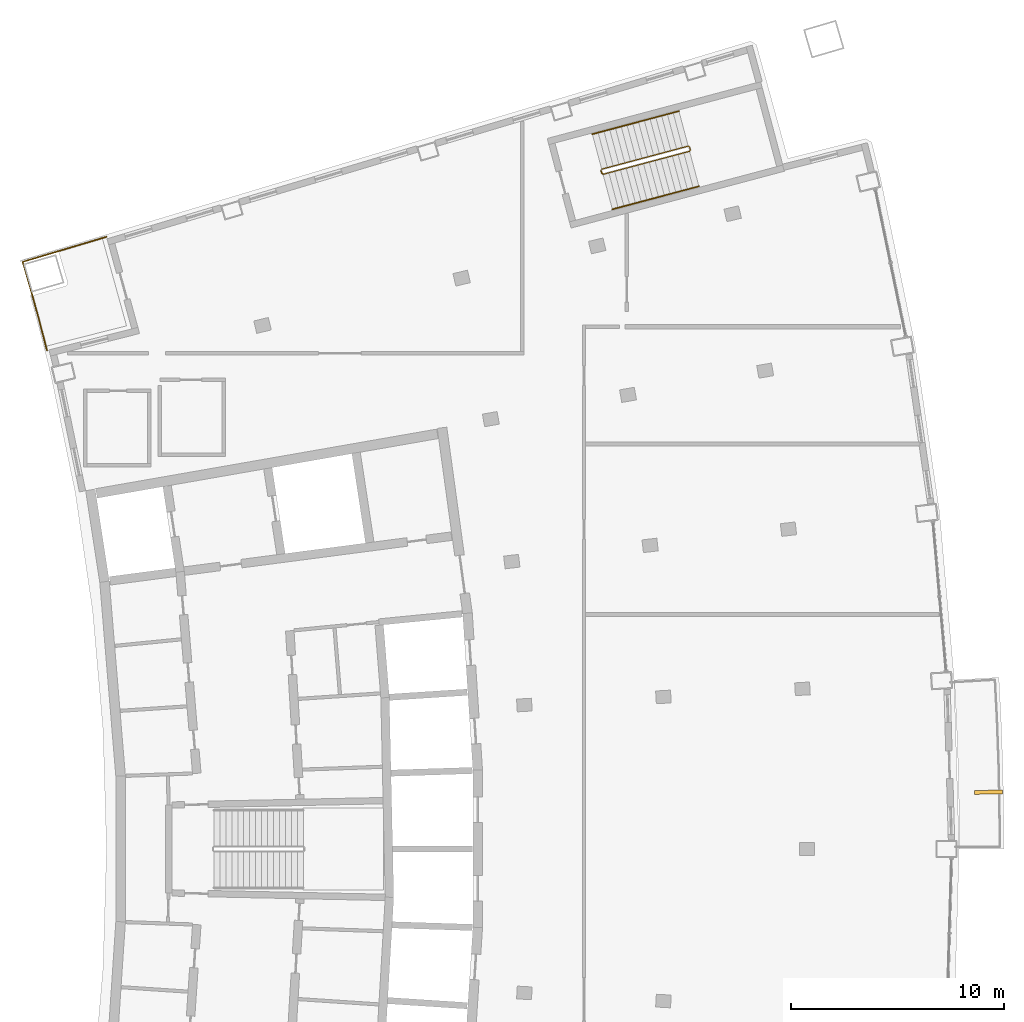
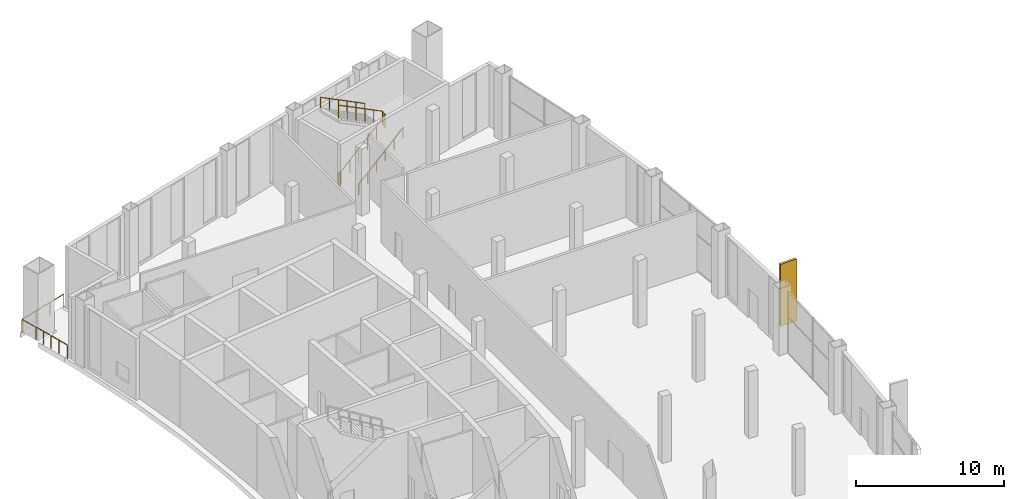
# One storey, part 13 of 13: 4 railings, 1 shading device.
"""IFC4 building model written with IfcOpenShell, lengths in metres."""

from ifc_helpers import new_model, si_unit, direction, frame, origin, origin_2d, place, context, subcontext, project, spatial, rectangle, extrude, material, layer, layer_set, type_object, element, save


model = new_model("IFC4")

# Units and contexts
model_context = context("Model", 3, precision=1e-05, world=origin(), true_north=direction((0.0, 1.0)))
body_context = subcontext(model_context, "Body", "Model", "MODEL_VIEW")
ifc_project = project(units=[si_unit("LENGTHUNIT", "METRE"), si_unit("AREAUNIT", "SQUARE_METRE"), si_unit("VOLUMEUNIT", "CUBIC_METRE"), si_unit("PLANEANGLEUNIT", "RADIAN"), si_unit("MASSUNIT", "GRAM", prefix="KILO")], contexts=[model_context])

# Site, building, storey
site_placement = place(None, origin())
site = spatial("IfcSite", under=ifc_project, at=site_placement, CompositionType="ELEMENT")
building_placement = place(site_placement, origin())
building = spatial("IfcBuilding", under=site, at=building_placement, Name="Alderwake Tower", CompositionType="ELEMENT")
storey_placement = place(building_placement, frame((0.0, 0.0, 304.5)))
storey = spatial("IfcBuildingStorey", under=building, at=storey_placement, Name="L74", CompositionType="ELEMENT", Elevation=304.5)

# Railing
ifc_material_1 = material(Name="Stainless steel 316 rail and posts", Category="steel")
railing_type_1 = type_object("IfcRailingType", Name="Balcony guard 1100", PredefinedType="GUARDRAIL", material=ifc_material_1)
railing_1_placement = place(storey_placement, frame((13.210693359375, 84.387451171875, 0.0)))
element("IfcRailing", 1, at=railing_1_placement, inside=storey, type_object=railing_type_1, Name="Guard terrace RN", PredefinedType="GUARDRAIL", context=body_context, shape_type="SweptSolid", body=[
    extrude(rectangle(XDim=0.048095703125, YDim=0.048095703125, at=origin_2d()), frame((0.0, 0.0, 1.076171875), z_axis=(-0.251385381433, 0.967887075026, 0.0), x_axis=(-0.967887075026, -0.251385381433, 0.0)), (0.0, 0.0, 1.0), 1.6015625),
    extrude(rectangle(XDim=0.048095703125, YDim=0.048095703125, at=origin_2d()), frame((-0.402587890625, 1.550048828125, 1.076171875), z_axis=(-0.266520638672, 0.963829211615, 0.0), x_axis=(-0.963829211615, -0.266520638672, 0.0)), (0.0, 0.0, 1.0), 1.401611328125),
    extrude(rectangle(XDim=0.048095703125, YDim=0.048095703125, at=origin_2d()), frame((-0.776123046875, 2.90087890625, 1.076171875), z_axis=(-0.280093650878, 0.959972680204, 0.0), x_axis=(-0.959972680204, -0.280093650878, 0.0)), (0.0, 0.0, 1.0), 1.30126953125),
    extrude(rectangle(XDim=0.048095703125, YDim=0.048095703125, at=origin_2d()), frame((-1.140625, 4.150146484375, 1.076171875), z_axis=(0.958066871889, 0.286544706789, 0.0), x_axis=(-0.286544706789, 0.958066871889, 0.0)), (0.0, 0.0, 1.0), 4.099853515625),
    extrude(rectangle(XDim=0.0419921875, YDim=0.0419921875, at=origin_2d()), frame((0.0, 0.0, 0.0), z_axis=(0.0, 0.0, 1.0), x_axis=(-0.251385381433, 0.967887075026, 0.0)), (0.0, 0.0, 1.0), 1.052001953125),
    extrude(rectangle(XDim=0.0419921875, YDim=0.0419921875, at=origin_2d()), frame((-0.201171875, 0.77490234375, 0.0), z_axis=(0.0, 0.0, 1.0), x_axis=(-0.251385381433, 0.967887075026, 0.0)), (0.0, 0.0, 1.0), 1.052001953125),
    extrude(rectangle(XDim=0.0419921875, YDim=0.0419921875, at=origin_2d()), frame((-0.402587890625, 1.550048828125, 0.0), z_axis=(0.0, 0.0, 1.0), x_axis=(-0.266520638672, 0.963829211615, 0.0)), (0.0, 0.0, 1.0), 1.052001953125),
    extrude(rectangle(XDim=0.0419921875, YDim=0.0419921875, at=origin_2d()), frame((-0.58935546875, 2.2255859375, 0.0), z_axis=(0.0, 0.0, 1.0), x_axis=(-0.266520638672, 0.963829211615, 0.0)), (0.0, 0.0, 1.0), 1.052001953125),
    extrude(rectangle(XDim=0.0419921875, YDim=0.0419921875, at=origin_2d()), frame((-0.776123046875, 2.90087890625, 0.0), z_axis=(0.0, 0.0, 1.0), x_axis=(-0.280093650878, 0.959972680204, 0.0)), (0.0, 0.0, 1.0), 1.052001953125),
    extrude(rectangle(XDim=0.0419921875, YDim=0.0419921875, at=origin_2d()), frame((-1.140625, 4.150146484375, 0.0), z_axis=(0.0, 0.0, 1.0), x_axis=(0.958066871889, 0.286544706789, 0.0)), (0.0, 0.0, 1.0), 1.052001953125),
    extrude(rectangle(XDim=0.0419921875, YDim=0.0419921875, at=origin_2d()), frame((0.168701171875, 4.541748046875, 0.0), z_axis=(0.0, 0.0, 1.0), x_axis=(0.958066871889, 0.286544706789, 0.0)), (0.0, 0.0, 1.0), 1.052001953125),
    extrude(rectangle(XDim=0.0419921875, YDim=0.0419921875, at=origin_2d()), frame((1.47802734375, 4.933349609375, 0.0), z_axis=(0.0, 0.0, 1.0), x_axis=(0.958066871889, 0.286544706789, 0.0)), (0.0, 0.0, 1.0), 1.052001953125),
    extrude(rectangle(XDim=0.0419921875, YDim=0.0419921875, at=origin_2d()), frame((2.787353515625, 5.324951171875, 0.0), z_axis=(0.0, 0.0, 1.0), x_axis=(0.958066871889, 0.286544706789, 0.0)), (0.0, 0.0, 1.0), 1.052001953125),
])

# Shading device
ifc_material_2 = material(Name="Bronze anodised aluminium", Category="aluminium")
ifc_layer = layer(ifc_material_2, 0.179931640625)
ifc_layer_set = layer_set([ifc_layer], Name="Facade fin 1300")
shading_device_type = type_object("IfcShadingDeviceType", Name="Facade fin 1300", PredefinedType="USERDEFINED", material=ifc_layer_set)
shading_device_placement = place(storey_placement, frame((57.3740234375, 63.665283203125, 0.0), z_axis=(0.0, 0.0, 1.0), x_axis=(0.999811838809, 0.019398117887, 0.0)))
element("IfcShadingDevice", 2, at=shading_device_placement, inside=storey, type_object=shading_device_type, Name="Fin", ObjectType="FIN", PredefinedType="USERDEFINED", context=body_context, shape_type="SweptSolid", body=[
    extrude(rectangle(XDim=1.300048828125, YDim=0.179931640625, at=origin_2d()), origin(), (0.0, 0.0, 1.0), 5.10009765625),
])

# Railings
ifc_material_3 = material(Name="Stainless steel guard", Category="steel")
railing_type_2 = type_object("IfcRailingType", Name="Stair guard 1100", PredefinedType="GUARDRAIL", material=ifc_material_3)
railing_2_placement = place(storey_placement, frame((39.23291015625, 92.6806640625, 0.0)))
element("IfcRailing", 3, at=railing_2_placement, inside=storey, type_object=railing_type_2, Name="L74 ST-A stair guard 1", PredefinedType="GUARDRAIL", context=body_context, shape_type="SweptSolid", body=[
    extrude(rectangle(XDim=0.048095703125, YDim=0.048095703125, at=origin_2d()), frame((0.0, 0.0, 1.076171875), z_axis=(-0.257055032184, 0.966396766566, 0.0), x_axis=(-0.966396766566, -0.257055032184, 0.0)), (0.0, 0.0, 1.0), 0.150146484375),
    extrude(rectangle(XDim=0.048095703125, YDim=0.048095703125, at=origin_2d()), frame((-0.03857421875, 0.14501953125, 1.076171875), z_axis=(0.371969152004, -0.672090961689, 0.640259860661), x_axis=(0.874937996095, 0.484234966715, 0.0)), (0.0, 0.0, 1.0), 0.2685546875),
    extrude(rectangle(XDim=0.048095703125, YDim=0.048095703125, at=origin_2d()), frame((0.061279296875, -0.035400390625, 1.248046875), z_axis=(0.82352152456, 0.219367942655, 0.523153901182), x_axis=(-0.257402139082, 0.966304371715, 0.0)), (0.0, 0.0, 1.0), 4.927978515625),
    extrude(rectangle(XDim=0.048095703125, YDim=0.048095703125, at=origin_2d()), frame((4.11962890625, 1.045654296875, 3.826171875), z_axis=(0.502800015978, 0.864402767194, 0.0), x_axis=(-0.864402767194, 0.502800015978, 0.0)), (0.0, 0.0, 1.0), 0.07080078125),
    extrude(rectangle(XDim=0.048095703125, YDim=0.048095703125, at=origin_2d()), frame((4.1552734375, 1.10693359375, 3.826171875), z_axis=(-0.258980325321, 0.965882596953, 0.0), x_axis=(-0.965882596953, -0.258980325321, 0.0)), (0.0, 0.0, 1.0), 0.14990234375),
    extrude(rectangle(XDim=0.048095703125, YDim=0.048095703125, at=origin_2d()), frame((4.116455078125, 1.251708984375, 3.826171875), z_axis=(-0.328426937489, 0.191801331494, 0.92485025597), x_axis=(-0.504300490226, -0.863528236688, 0.0)), (0.0, 0.0, 1.0), 0.185791015625),
    extrude(rectangle(XDim=0.048095703125, YDim=0.048095703125, at=origin_2d()), frame((4.055419921875, 1.287353515625, 3.998046875), z_axis=(-0.823537466516, -0.219358993126, 0.523132558133), x_axis=(0.257387681119, -0.966308222881, 0.0)), (0.0, 0.0, 1.0), 4.92822265625),
    extrude(rectangle(XDim=0.0419921875, YDim=0.0419921875, at=origin_2d()), frame((0.0, 0.0, 0.0), z_axis=(0.0, 0.0, 1.0), x_axis=(-0.257055032184, 0.966396766566, 0.0)), (0.0, 0.0, 1.0), 1.052001953125),
    extrude(rectangle(XDim=0.0419921875, YDim=0.0419921875, at=origin_2d()), frame((-0.03857421875, 0.14501953125, 0.0), z_axis=(0.0, 0.0, 1.0), x_axis=(0.484234966715, -0.874937996095, 0.0)), (0.0, 0.0, 1.0), 1.052001953125),
    extrude(rectangle(XDim=0.0419921875, YDim=0.0419921875, at=origin_2d()), frame((0.061279296875, -0.035400390625, 0.171875), z_axis=(0.0, 0.0, 1.0), x_axis=(0.966304371715, 0.257402139082, 0.0)), (0.0, 0.0, 1.0), 1.052001953125),
    extrude(rectangle(XDim=0.0419921875, YDim=0.0419921875, at=origin_2d()), frame((0.873046875, 0.180908203125, 0.6875), z_axis=(0.0, 0.0, 1.0), x_axis=(0.966304371715, 0.257402139082, 0.0)), (0.0, 0.0, 1.0), 1.052001953125),
    extrude(rectangle(XDim=0.0419921875, YDim=0.0419921875, at=origin_2d()), frame((1.6845703125, 0.39697265625, 1.203125), z_axis=(0.0, 0.0, 1.0), x_axis=(0.966304371715, 0.257402139082, 0.0)), (0.0, 0.0, 1.0), 1.052001953125),
    extrude(rectangle(XDim=0.0419921875, YDim=0.0419921875, at=origin_2d()), frame((2.496337890625, 0.61328125, 1.71875), z_axis=(0.0, 0.0, 1.0), x_axis=(0.966304371715, 0.257402139082, 0.0)), (0.0, 0.0, 1.0), 1.052001953125),
    extrude(rectangle(XDim=0.0419921875, YDim=0.0419921875, at=origin_2d()), frame((3.307861328125, 0.829345703125, 2.234375), z_axis=(0.0, 0.0, 1.0), x_axis=(0.966304371715, 0.257402139082, 0.0)), (0.0, 0.0, 1.0), 1.052001953125),
    extrude(rectangle(XDim=0.0419921875, YDim=0.0419921875, at=origin_2d()), frame((4.11962890625, 1.045654296875, 2.75), z_axis=(0.0, 0.0, 1.0), x_axis=(0.502800015978, 0.864402767194, 0.0)), (0.0, 0.0, 1.0), 1.052001953125),
    extrude(rectangle(XDim=0.0419921875, YDim=0.0419921875, at=origin_2d()), frame((4.1552734375, 1.10693359375, 2.75), z_axis=(0.0, 0.0, 1.0), x_axis=(-0.258980325321, 0.965882596953, 0.0)), (0.0, 0.0, 1.0), 1.052001953125),
    extrude(rectangle(XDim=0.0419921875, YDim=0.0419921875, at=origin_2d()), frame((4.116455078125, 1.251708984375, 2.75), z_axis=(0.0, 0.0, 1.0), x_axis=(-0.863528236688, 0.504300490226, 0.0)), (0.0, 0.0, 1.0), 1.052001953125),
    extrude(rectangle(XDim=0.0419921875, YDim=0.0419921875, at=origin_2d()), frame((4.055419921875, 1.287353515625, 2.921875), z_axis=(0.0, 0.0, 1.0), x_axis=(-0.966308222881, -0.257387681119, 0.0)), (0.0, 0.0, 1.0), 1.052001953125),
    extrude(rectangle(XDim=0.0419921875, YDim=0.0419921875, at=origin_2d()), frame((3.24365234375, 1.071044921875, 3.4375), z_axis=(0.0, 0.0, 1.0), x_axis=(-0.966308222881, -0.257387681119, 0.0)), (0.0, 0.0, 1.0), 1.052001953125),
    extrude(rectangle(XDim=0.0419921875, YDim=0.0419921875, at=origin_2d()), frame((2.431884765625, 0.85498046875, 3.953125), z_axis=(0.0, 0.0, 1.0), x_axis=(-0.966308222881, -0.257387681119, 0.0)), (0.0, 0.0, 1.0), 1.052001953125),
    extrude(rectangle(XDim=0.0419921875, YDim=0.0419921875, at=origin_2d()), frame((1.620361328125, 0.638671875, 4.46875), z_axis=(0.0, 0.0, 1.0), x_axis=(-0.966308222881, -0.257387681119, 0.0)), (0.0, 0.0, 1.0), 1.052001953125),
    extrude(rectangle(XDim=0.0419921875, YDim=0.0419921875, at=origin_2d()), frame((0.80859375, 0.422607421875, 4.984375), z_axis=(0.0, 0.0, 1.0), x_axis=(-0.966308222881, -0.257387681119, 0.0)), (0.0, 0.0, 1.0), 1.052001953125),
    extrude(rectangle(XDim=0.0419921875, YDim=0.0419921875, at=origin_2d()), frame((-0.003173828125, 0.206298828125, 5.5), z_axis=(0.0, 0.0, 1.0), x_axis=(-0.966308222881, -0.257387681119, 0.0)), (0.0, 0.0, 1.0), 1.052001953125),
])
ifc_material_4 = material(Name="Stainless steel handrail", Category="steel")
railing_type_3 = type_object("IfcRailingType", Name="Stair handrail 900", PredefinedType="HANDRAIL", material=ifc_material_4)
railing_3_placement = place(storey_placement, frame((39.731689453125, 91.002685546875, 0.171875)))
element("IfcRailing", 4, at=railing_3_placement, inside=storey, type_object=railing_type_3, Name="L74 ST-A stair handrail 1", PredefinedType="HANDRAIL", context=body_context, shape_type="SweptSolid", body=[
    extrude(rectangle(XDim=0.048095703125, YDim=0.048095703125, at=origin_2d()), frame((0.0, 0.0, 0.8759765625), z_axis=(0.823546414901, 0.219311837029, 0.523138242382), x_axis=(-0.257333403443, 0.966322678753, 0.0)), (0.0, 0.0, 1.0), 4.92822265625),
    extrude(rectangle(XDim=0.0419921875, YDim=0.0419921875, at=origin_2d()), frame((0.0, 0.0, 0.0), z_axis=(0.0, 0.0, 1.0), x_axis=(0.966322678753, 0.257333403443, 0.0)), (0.0, 0.0, 1.0), 0.851806640625),
    extrude(rectangle(XDim=0.0419921875, YDim=0.0419921875, at=origin_2d()), frame((0.811767578125, 0.216064453125, 0.515625), z_axis=(0.0, 0.0, 1.0), x_axis=(0.966322678753, 0.257333403443, 0.0)), (0.0, 0.0, 1.0), 0.851806640625),
    extrude(rectangle(XDim=0.0419921875, YDim=0.0419921875, at=origin_2d()), frame((1.62353515625, 0.432373046875, 1.03125), z_axis=(0.0, 0.0, 1.0), x_axis=(0.966322678753, 0.257333403443, 0.0)), (0.0, 0.0, 1.0), 0.851806640625),
    extrude(rectangle(XDim=0.0419921875, YDim=0.0419921875, at=origin_2d()), frame((2.43505859375, 0.6484375, 1.546875), z_axis=(0.0, 0.0, 1.0), x_axis=(0.966322678753, 0.257333403443, 0.0)), (0.0, 0.0, 1.0), 0.851806640625),
    extrude(rectangle(XDim=0.0419921875, YDim=0.0419921875, at=origin_2d()), frame((3.246826171875, 0.86474609375, 2.0625), z_axis=(0.0, 0.0, 1.0), x_axis=(0.966322678753, 0.257333403443, 0.0)), (0.0, 0.0, 1.0), 0.851806640625),
    extrude(rectangle(XDim=0.0419921875, YDim=0.0419921875, at=origin_2d()), frame((4.05859375, 1.080810546875, 2.578125), z_axis=(0.0, 0.0, 1.0), x_axis=(0.966322678753, 0.257333403443, 0.0)), (0.0, 0.0, 1.0), 0.851806640625),
])
railing_4_placement = place(storey_placement, frame((42.850830078125, 95.610595703125, 2.921875)))
element("IfcRailing", 5, at=railing_4_placement, inside=storey, type_object=railing_type_3, Name="L74 ST-A stair handrail 2", PredefinedType="HANDRAIL", context=body_context, shape_type="SweptSolid", body=[
    extrude(rectangle(XDim=0.048095703125, YDim=0.048095703125, at=origin_2d()), frame((0.0, 0.0, 0.8759765625), z_axis=(-0.823537466516, -0.219358993126, 0.523132558133), x_axis=(0.257387681119, -0.966308222881, 0.0)), (0.0, 0.0, 1.0), 4.92822265625),
    extrude(rectangle(XDim=0.0419921875, YDim=0.0419921875, at=origin_2d()), frame((0.0, 0.0, 0.0), z_axis=(0.0, 0.0, 1.0), x_axis=(-0.966308222881, -0.257387681119, 0.0)), (0.0, 0.0, 1.0), 0.851806640625),
    extrude(rectangle(XDim=0.0419921875, YDim=0.0419921875, at=origin_2d()), frame((-0.811767578125, -0.21630859375, 0.515625), z_axis=(0.0, 0.0, 1.0), x_axis=(-0.966308222881, -0.257387681119, 0.0)), (0.0, 0.0, 1.0), 0.851806640625),
    extrude(rectangle(XDim=0.0419921875, YDim=0.0419921875, at=origin_2d()), frame((-1.62353515625, -0.432373046875, 1.03125), z_axis=(0.0, 0.0, 1.0), x_axis=(-0.966308222881, -0.257387681119, 0.0)), (0.0, 0.0, 1.0), 0.851806640625),
    extrude(rectangle(XDim=0.0419921875, YDim=0.0419921875, at=origin_2d()), frame((-2.43505859375, -0.648681640625, 1.546875), z_axis=(0.0, 0.0, 1.0), x_axis=(-0.966308222881, -0.257387681119, 0.0)), (0.0, 0.0, 1.0), 0.851806640625),
    extrude(rectangle(XDim=0.0419921875, YDim=0.0419921875, at=origin_2d()), frame((-3.246826171875, -0.86474609375, 2.0625), z_axis=(0.0, 0.0, 1.0), x_axis=(-0.966308222881, -0.257387681119, 0.0)), (0.0, 0.0, 1.0), 0.851806640625),
    extrude(rectangle(XDim=0.0419921875, YDim=0.0419921875, at=origin_2d()), frame((-4.05859375, -1.0810546875, 2.578125), z_axis=(0.0, 0.0, 1.0), x_axis=(-0.966308222881, -0.257387681119, 0.0)), (0.0, 0.0, 1.0), 0.851806640625),
])

save(model, "model.ifc")
